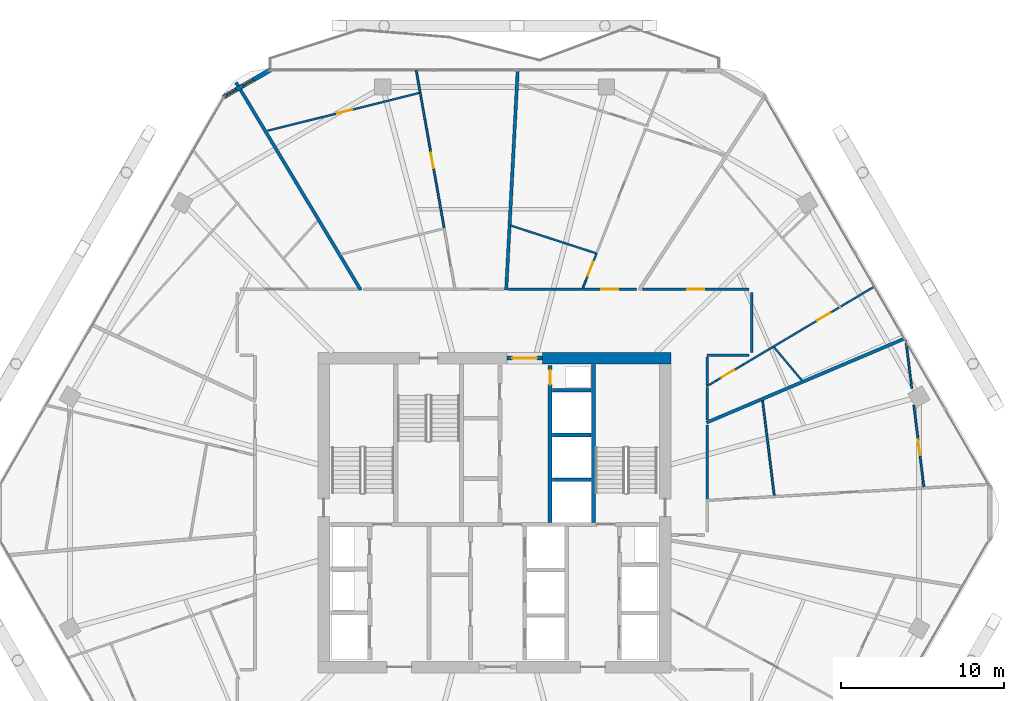
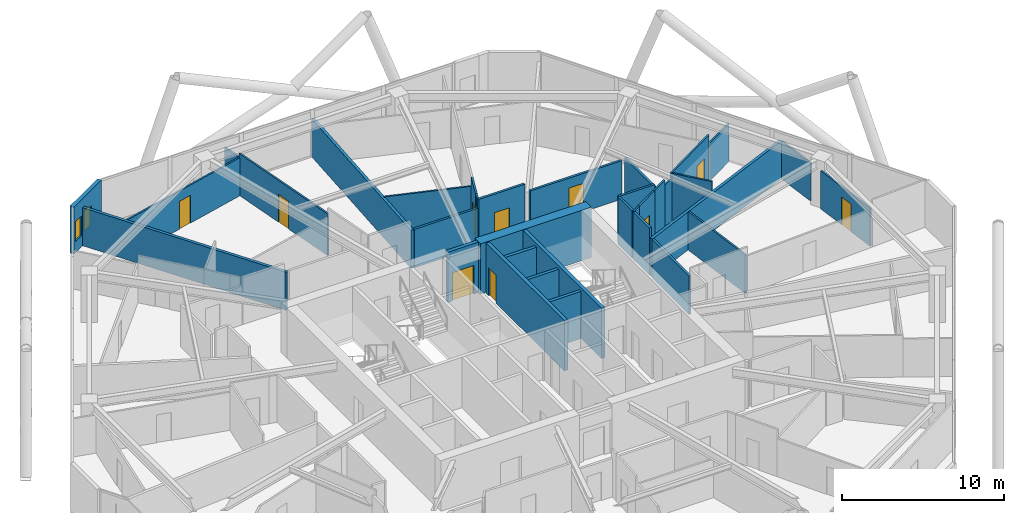
# One storey, part 25 of 29: 35 walls, 10 doors, 2 windows, 12 openings.
"""IFC4 building model written with IfcOpenShell, lengths in metres."""

from ifc_helpers import new_model, si_unit, direction, frame, frame_2d, origin, place, context, subcontext, project, spatial, rectangle, extrude, material, layer, layer_set, type_object, element, fill, save


model = new_model("IFC4")

# Units and contexts
model_context = context("Model", 3, precision=1e-05, world=origin(), true_north=direction((0.0, 1.0)))
body_context = subcontext(model_context, "Body", "Model", "MODEL_VIEW")
ifc_project = project(units=[si_unit("LENGTHUNIT", "METRE"), si_unit("AREAUNIT", "SQUARE_METRE"), si_unit("VOLUMEUNIT", "CUBIC_METRE"), si_unit("PLANEANGLEUNIT", "RADIAN"), si_unit("MASSUNIT", "GRAM", prefix="KILO")], contexts=[model_context])

# Site, building, storey
site_placement = place(None, origin())
site = spatial("IfcSite", under=ifc_project, at=site_placement, CompositionType="ELEMENT")
building_placement = place(site_placement, origin())
building = spatial("IfcBuilding", under=site, at=building_placement, Name="Zuhravey Tower", CompositionType="ELEMENT")
storey_placement = place(building_placement, frame((0.0, 0.0, 161.800048828125)))
storey = spatial("IfcBuildingStorey", under=building, at=storey_placement, Name="L40", CompositionType="ELEMENT", Elevation=161.800048828125)

# Wall
ifc_material_1 = material(Name="Concrete C60/75", Category="concrete")
ifc_layer_1 = layer(ifc_material_1, 0.699951171875)
ifc_layer_set_1 = layer_set([ifc_layer_1], Name="Concrete C60/75")
wall_type_1 = type_object("IfcWallType", Name="Core Shear Wall 700", PredefinedType="SHEAR", material=ifc_layer_set_1)
wall_1_placement = place(storey_placement, frame((46.85009765625, 41.5, 0.0), z_axis=(0.0, 0.0, 1.0), x_axis=(-1.0, 0.0, 0.0)))
element("IfcWall", 1, at=wall_1_placement, inside=storey, type_object=wall_type_1, Name="L40 North-East Core Shear Wall CW70", PredefinedType="SHEAR", context=body_context, shape_type="SweptSolid", body=[
    extrude(rectangle(XDim=7.900146484375, YDim=0.699951171875, at=frame_2d((3.9501953125, 0.0))), origin(), (0.0, 0.0, 1.0), 3.800048828125),
])

# Wall, opening, door
ifc_material_2 = material(Name="Gypsum fire-rated stud partition")
ifc_layer_2 = layer(ifc_material_2, 0.159912109375)
ifc_layer_set_2 = layer_set([ifc_layer_2], Name="Gypsum fire-rated stud partition")
wall_type_2 = type_object("IfcWallType", Name="Corridor Fire Partition 160", PredefinedType="PARTITIONING", material=ifc_layer_set_2)
wall_2_placement = place(storey_placement, frame((51.64990234375, 45.72998046875, 0.0), z_axis=(0.0, 0.0, 1.0), x_axis=(-1.0, 0.0, 0.0)))
wall_2 = element("IfcWall", 2, at=wall_2_placement, inside=storey, type_object=wall_type_2, Name="L40 IW16 Partition 023", PredefinedType="PARTITIONING", context=body_context, shape_type="SweptSolid", body=[
    extrude(rectangle(XDim=6.5380859375, YDim=0.159912109375, at=frame_2d((3.26904296875, 0.0))), origin(), (0.0, 0.0, 1.0), 2.89990234375),
])
opening_1_placement = place(wall_2_placement, frame((2.744140625, 0.0, 0.0)))
opening_1 = element("IfcOpeningElement", 3, at=opening_1_placement, cuts=wall_2, Name="Opening APD1", PredefinedType="OPENING", context=body_context, shape_type="SweptSolid", body=[
    extrude(rectangle(XDim=1.050048828125, YDim=2.14990234375, at=frame_2d((0.52490234375, 1.074951171875))), frame((0.0, 0.092041015625, 0.0), z_axis=(0.0, -1.0, 0.0), x_axis=(1.0, 0.0, 0.0)), (0.0, 0.0, 1.0), 0.183837890625),
])
ifc_material_3 = material(Name="Solid-core oak fire-rated leaf")
door_type_1 = type_object("IfcDoorType", Name="Apartment Entrance Fire Door 1050x2150", OperationType="NOTDEFINED", PredefinedType="DOOR", material=ifc_material_3)
door_1_placement = place(opening_1_placement, frame((1.050048828125, 0.0, 0.0), z_axis=(0.0, 0.0, 1.0), x_axis=(-1.0, 0.0, 0.0)))
door_1 = element("IfcDoor", 4, at=door_1_placement, inside=storey, type_object=door_type_1, Name="L40 Door 023.1", OperationType="SINGLE_SWING_LEFT", OverallHeight=2.14990234375, OverallWidth=1.050048828125, PredefinedType="DOOR", context=body_context, shape_type="SweptSolid", body=[
    extrude(rectangle(XDim=1.050048828125, YDim=2.14990234375, at=frame_2d((0.52490234375, 1.074951171875))), frame((0.0, 0.02490234375, 0.0), z_axis=(0.0, -1.0, 0.0), x_axis=(1.0, 0.0, 0.0)), (0.0, 0.0, 1.0), 0.050048828125),
])
fill(opening_1, door_1)

wall_3_placement = place(storey_placement, frame((44.723388671875, 45.72998046875, 0.0), z_axis=(0.0, 0.0, 1.0), x_axis=(-1.0, 0.0, 0.0)))
wall_3 = element("IfcWall", 5, at=wall_3_placement, inside=storey, type_object=wall_type_2, Name="L40 IW16 Partition 028", PredefinedType="PARTITIONING", context=body_context, shape_type="SweptSolid", body=[
    extrude(rectangle(XDim=3.299072265625, YDim=0.159912109375, at=frame_2d((1.6494140625, 0.0))), origin(), (0.0, 0.0, 1.0), 3.550048828125),
])
opening_2_placement = place(wall_3_placement, frame((1.12451171875, 0.0, 0.0)))
opening_2 = element("IfcOpeningElement", 6, at=opening_2_placement, cuts=wall_3, Name="Opening APD1", PredefinedType="OPENING", context=body_context, shape_type="SweptSolid", body=[
    extrude(rectangle(XDim=1.050048828125, YDim=2.14990234375, at=frame_2d((0.52490234375, 1.074951171875))), frame((0.0, 0.092041015625, 0.0), z_axis=(0.0, -1.0, 0.0), x_axis=(1.0, 0.0, 0.0)), (0.0, 0.0, 1.0), 0.183837890625),
])
door_2_placement = place(opening_2_placement, frame((1.050048828125, 0.0, 0.0), z_axis=(0.0, 0.0, 1.0), x_axis=(-1.0, 0.0, 0.0)))
door_2 = element("IfcDoor", 7, at=door_2_placement, inside=storey, type_object=door_type_1, Name="L40 Door 028.1", OperationType="SINGLE_SWING_RIGHT", OverallHeight=2.14990234375, OverallWidth=1.050048828125, PredefinedType="DOOR", context=body_context, shape_type="SweptSolid", body=[
    extrude(rectangle(XDim=1.050048828125, YDim=2.14990234375, at=frame_2d((0.52490234375, 1.074951171875))), frame((0.0, 0.02490234375, 0.0), z_axis=(0.0, -1.0, 0.0), x_axis=(1.0, 0.0, 0.0)), (0.0, 0.0, 1.0), 0.050048828125),
])
fill(opening_2, door_2)

# Walls
wall_4_placement = place(storey_placement, frame((51.830078125, 41.85009765625, 0.0), z_axis=(0.0, 0.0, 1.0), x_axis=(0.0, 1.0, 0.0)))
element("IfcWall", 8, at=wall_4_placement, inside=storey, type_object=wall_type_2, Name="L40 IW16 Partition 123", PredefinedType="PARTITIONING", context=body_context, shape_type="SweptSolid", body=[
    extrude(rectangle(XDim=3.699951171875, YDim=0.159912109375, at=frame_2d((1.85009765625, 0.0))), origin(), (0.0, 0.0, 1.0), 3.14990234375),
])
wall_5_placement = place(storey_placement, frame((49.080078125, 41.669921875, 0.0), z_axis=(0.0, 0.0, 1.0), x_axis=(1.0, 0.0, 0.0)))
element("IfcWall", 9, at=wall_5_placement, inside=storey, type_object=wall_type_2, Name="L40 IW16 Partition 124", PredefinedType="PARTITIONING", context=body_context, shape_type="SweptSolid", body=[
    extrude(rectangle(XDim=2.56982421875, YDim=0.159912109375, at=frame_2d((1.284912109375, 0.0))), origin(), (0.0, 0.0, 1.0), 3.550048828125),
])
wall_6_placement = place(storey_placement, frame((49.080078125, 39.864013671875, 0.0), z_axis=(0.0, 0.0, 1.0), x_axis=(0.0, 1.0, 0.0)))
element("IfcWall", 10, at=wall_6_placement, inside=storey, type_object=wall_type_2, Name="L40 IW16 Partition 125", PredefinedType="PARTITIONING", context=body_context, shape_type="SweptSolid", body=[
    extrude(rectangle(XDim=1.718017578125, YDim=0.159912109375, at=frame_2d((0.85888671875, 0.0))), origin(), (0.0, 0.0, 1.0), 3.550048828125),
])
wall_7_placement = place(storey_placement, frame((49.080078125, 37.709228515625, 0.0), z_axis=(0.0, 0.0, 1.0), x_axis=(0.0, 1.0, 0.0)))
element("IfcWall", 11, at=wall_7_placement, inside=storey, type_object=wall_type_2, Name="L40 IW16 Partition 126", PredefinedType="PARTITIONING", context=body_context, shape_type="SweptSolid", body=[
    extrude(rectangle(XDim=1.99658203125, YDim=0.159912109375, at=frame_2d((0.998291015625, 0.0))), origin(), (0.0, 0.0, 1.0), 3.550048828125),
])
wall_8_placement = place(storey_placement, frame((41.38134765625, 45.72998046875, 0.0), z_axis=(0.0, 0.0, 1.0), x_axis=(-1.0, 0.0, 0.0)))
element("IfcWall", 12, at=wall_8_placement, inside=storey, type_object=wall_type_2, Name="L40 IW16 Partition 127", PredefinedType="PARTITIONING", context=body_context, shape_type="SweptSolid", body=[
    extrude(rectangle(XDim=4.521484375, YDim=0.159912109375, at=frame_2d((2.2607421875, 0.0))), origin(), (0.0, 0.0, 1.0), 2.89990234375),
])
wall_9_placement = place(storey_placement, frame((49.080078125, 32.817626953125, 0.0), z_axis=(0.0, 0.0, 1.0), x_axis=(0.0, 1.0, 0.0)))
element("IfcWall", 13, at=wall_9_placement, inside=storey, type_object=wall_type_2, Name="L40 IW16 Partition 143", PredefinedType="PARTITIONING", context=body_context, shape_type="SweptSolid", body=[
    extrude(rectangle(XDim=4.57861328125, YDim=0.159912109375, at=frame_2d((2.289306640625, 0.0))), origin(), (0.0, 0.0, 1.0), 2.89990234375),
])

# Wall, openings, windows
ifc_material_4 = material(Name="Precast concrete C40/50", Category="concrete")
ifc_layer_3 = layer(ifc_material_4, 0.280029296875)
ifc_layer_set_3 = layer_set([ifc_layer_3], Name="Precast concrete C40/50")
wall_type_3 = type_object("IfcWallType", Name="Crown Architectural Wall 280", PredefinedType="SOLIDWALL", material=ifc_layer_set_3)
wall_10_placement = place(storey_placement, frame((19.306884765625, 57.548095703125, 0.0), z_axis=(0.0, 0.0, 1.0), x_axis=(0.866020068361, 0.500009241111, 0.0)))
wall_10 = element("IfcWall", 14, at=wall_10_placement, inside=storey, type_object=wall_type_3, Name="L40 Rounded Corner Closure Wall EW28-08", PredefinedType="SOLIDWALL", context=body_context, shape_type="SweptSolid", body=[
    extrude(rectangle(XDim=3.365234375, YDim=0.280029296875, at=frame_2d((1.6826171875, 0.0))), origin(), (0.0, 0.0, 1.0), 3.550048828125),
])
opening_3_placement = place(wall_10_placement, frame((1.405517578125, 0.0, 0.85009765625)))
opening_3 = element("IfcOpeningElement", 15, at=opening_3_placement, cuts=wall_10, Name="Opening WN5", PredefinedType="OPENING", context=body_context, shape_type="SweptSolid", body=[
    extrude(rectangle(XDim=0.75, YDim=1.5, at=frame_2d((0.375, 0.75))), frame((0.0, 0.152099609375, 0.0), z_axis=(0.0, -1.0, 0.0), x_axis=(1.0, 0.0, 0.0)), (0.0, 0.0, 1.0), 0.303955078125),
])
opening_4_placement = place(wall_10_placement, frame((0.17919921875, 0.0, 0.85009765625)))
opening_4 = element("IfcOpeningElement", 16, at=opening_4_placement, cuts=wall_10, Name="Opening WN5", PredefinedType="OPENING", context=body_context, shape_type="SweptSolid", body=[
    extrude(rectangle(XDim=0.75, YDim=1.5, at=frame_2d((0.375, 0.75))), frame((0.0, 0.152099609375, 0.0), z_axis=(0.0, -1.0, 0.0), x_axis=(1.0, 0.0, 0.0)), (0.0, 0.0, 1.0), 0.303955078125),
])
ifc_material_5 = material(Name="Thermally broken aluminium and triple low-E glass", Category="aluminium")
window_type = type_object("IfcWindowType", Name="Residential Corner Casement Window 750x1500", PartitioningType="SINGLE_PANEL", PredefinedType="WINDOW", material=ifc_material_5)
window_1_placement = place(opening_3_placement, origin())
window_1 = element("IfcWindow", 17, at=window_1_placement, inside=storey, type_object=window_type, Name="L40 Corner Casement Window WN5-08.1", OverallHeight=1.5, OverallWidth=0.75, PartitioningType="SINGLE_PANEL", PredefinedType="WINDOW", context=body_context, shape_type="SweptSolid", body=[
    extrude(rectangle(XDim=0.75, YDim=1.5, at=frame_2d((0.375, 0.75))), frame((0.0, 0.030029296875, 0.0), z_axis=(0.0, -1.0, 0.0), x_axis=(1.0, 0.0, 0.0)), (0.0, 0.0, 1.0), 0.06005859375),
])
fill(opening_3, window_1)
window_2_placement = place(opening_4_placement, origin())
window_2 = element("IfcWindow", 18, at=window_2_placement, inside=storey, type_object=window_type, Name="L40 Corner Casement Window WN5-08.2", OverallHeight=1.5, OverallWidth=0.75, PartitioningType="SINGLE_PANEL", PredefinedType="WINDOW", context=body_context, shape_type="SweptSolid", body=[
    extrude(rectangle(XDim=0.75, YDim=1.5, at=frame_2d((0.375, 0.75))), frame((0.0, 0.030029296875, 0.0), z_axis=(0.0, -1.0, 0.0), x_axis=(1.0, 0.0, 0.0)), (0.0, 0.0, 1.0), 0.06005859375),
])
fill(opening_4, window_2)

# Wall, opening, door
ifc_material_6 = material(Name="Concrete C50/60", Category="concrete")
ifc_layer_4 = layer(ifc_material_6, 0.25)
ifc_layer_set_4 = layer_set([ifc_layer_4], Name="Concrete C50/60")
wall_type_4 = type_object("IfcWallType", Name="Firefighting Shaft & Stair Wall 250", PredefinedType="SOLIDWALL", material=ifc_layer_set_4)
wall_11_placement = place(storey_placement, frame((36.760009765625, 41.5, 0.0), z_axis=(0.0, 0.0, 1.0), x_axis=(1.0, 0.0, 0.0)))
wall_11 = element("IfcWall", 19, at=wall_11_placement, inside=storey, type_object=wall_type_4, Name="L40 FW25 Shaft Wall 002", PredefinedType="SOLIDWALL", context=body_context, shape_type="SweptSolid", body=[
    extrude(rectangle(XDim=2.179931640625, YDim=0.25, at=frame_2d((1.08984375, 0.0))), origin(), (0.0, 0.0, 1.0), 3.800048828125),
])
opening_5_placement = place(wall_11_placement, frame((0.340087890625, 0.0, 0.0)))
opening_5 = element("IfcOpeningElement", 20, at=opening_5_placement, cuts=wall_11, Name="Opening FFD1", PredefinedType="OPENING", context=body_context, shape_type="SweptSolid", body=[
    extrude(rectangle(XDim=1.5, YDim=2.14990234375, at=frame_2d((0.75, 1.074951171875))), frame((0.0, 0.136962890625, 0.0), z_axis=(0.0, -1.0, 0.0), x_axis=(1.0, 0.0, 0.0)), (0.0, 0.0, 1.0), 0.27392578125),
])
ifc_material_7 = material(Name="Galvanised fire-rated steel leaf", Category="steel")
door_type_2 = type_object("IfcDoorType", Name="Firefighting Lobby Double Door 1500x2150", OperationType="DOUBLE_DOOR_SINGLE_SWING", PredefinedType="DOOR", material=ifc_material_7)
door_3_placement = place(opening_5_placement, origin())
door_3 = element("IfcDoor", 21, at=door_3_placement, inside=storey, type_object=door_type_2, Name="L40 North Lift Lobby Exit Door", OperationType="DOUBLE_DOOR_SINGLE_SWING", OverallHeight=2.14990234375, OverallWidth=1.5, PredefinedType="DOOR", context=body_context, shape_type="SweptSolid", body=[
    extrude(rectangle(XDim=1.5, YDim=2.14990234375, at=frame_2d((0.75, 1.074951171875))), frame((0.0, 0.02490234375, 0.0), z_axis=(0.0, -1.0, 0.0), x_axis=(1.0, 0.0, 0.0)), (0.0, 0.0, 1.0), 0.050048828125),
])
fill(opening_5, door_3)

# Wall
wall_12_placement = place(storey_placement, frame((42.074951171875, 31.39990234375, 0.0), z_axis=(0.0, 0.0, 1.0), x_axis=(0.0, 1.0, 0.0)))
element("IfcWall", 22, at=wall_12_placement, inside=storey, type_object=wall_type_4, Name="L40 FW25 Shaft Wall 006", PredefinedType="SOLIDWALL", context=body_context, shape_type="SweptSolid", body=[
    extrude(rectangle(XDim=9.7001953125, YDim=0.25, at=frame_2d((4.85009765625, 0.0))), origin(), (0.0, 0.0, 1.0), 3.800048828125),
])

# Wall, opening, door
wall_13_placement = place(storey_placement, frame((39.425048828125, 31.39990234375, 0.0), z_axis=(0.0, 0.0, 1.0), x_axis=(0.0, 1.0, 0.0)))
wall_13 = element("IfcWall", 23, at=wall_13_placement, inside=storey, type_object=wall_type_4, Name="L40 FW25 Shaft Wall 008", PredefinedType="SOLIDWALL", context=body_context, shape_type="SweptSolid", body=[
    extrude(rectangle(XDim=9.650146484375, YDim=0.25, at=frame_2d((4.8251953125, 0.0))), origin(), (0.0, 0.0, 1.0), 3.800048828125),
])
opening_6_placement = place(wall_13_placement, frame((8.469970703125, 0.0, 0.0)))
opening_6 = element("IfcOpeningElement", 24, at=opening_6_placement, cuts=wall_13, Name="Opening RSD1", PredefinedType="OPENING", context=body_context, shape_type="SweptSolid", body=[
    extrude(rectangle(XDim=0.89990234375, YDim=2.10009765625, at=frame_2d((0.449951171875, 1.050048828125))), frame((0.0, 0.136962890625, 0.0), z_axis=(0.0, -1.0, 0.0), x_axis=(1.0, 0.0, 0.0)), (0.0, 0.0, 1.0), 0.27392578125),
])
ifc_material_8 = material(Name="Galvanised fire-rated steel access leaf", Category="steel")
door_type_3 = type_object("IfcDoorType", Name="Riser & Shaft Access Fire Door 900x2100", OperationType="NOTDEFINED", PredefinedType="DOOR", material=ifc_material_8)
door_4_placement = place(opening_6_placement, origin())
door_4 = element("IfcDoor", 25, at=door_4_placement, inside=storey, type_object=door_type_3, Name="L40 North Riser Door", OperationType="SINGLE_SWING_LEFT", OverallHeight=2.10009765625, OverallWidth=0.89990234375, PredefinedType="DOOR", context=body_context, shape_type="SweptSolid", body=[
    extrude(rectangle(XDim=0.89990234375, YDim=2.10009765625, at=frame_2d((0.449951171875, 1.050048828125))), frame((0.0, 0.02490234375, 0.0), z_axis=(0.0, -1.0, 0.0), x_axis=(1.0, 0.0, 0.0)), (0.0, 0.0, 1.0), 0.050048828125),
])
fill(opening_6, door_4)

# Walls
ifc_material_9 = material(Name="Gypsum double-stud party assembly")
ifc_layer_5 = layer(ifc_material_9, 0.199951171875)
ifc_layer_set_5 = layer_set([ifc_layer_5], Name="Gypsum double-stud party assembly")
wall_type_5 = type_object("IfcWallType", Name="Inter-Tenancy Party Wall 200", PredefinedType="PARTITIONING", material=ifc_layer_set_5)
wall_14_placement = place(storey_placement, frame((49.0400390625, 37.53515625, 0.0), z_axis=(0.0, 0.0, 1.0), x_axis=(0.920509138011, 0.390721034548, 0.0)))
element("IfcWall", 26, at=wall_14_placement, inside=storey, type_object=wall_type_5, Name="L40 IW20 Partition 075", PredefinedType="PARTITIONING", context=body_context, shape_type="SweptSolid", body=[
    extrude(rectangle(XDim=13.22119140625, YDim=0.199951171875, at=frame_2d((6.610595703125, 0.0))), origin(), (0.0, 0.0, 1.0), 2.869873046875),
])
wall_15_placement = place(storey_placement, frame((36.717529296875, 45.68994140625, 0.0), z_axis=(0.0, 0.0, 1.0), x_axis=(0.052327430458, 0.998629981536, 0.0)))
element("IfcWall", 27, at=wall_15_placement, inside=storey, type_object=wall_type_5, Name="L40 IW20 Partition 085", PredefinedType="PARTITIONING", context=body_context, shape_type="SweptSolid", body=[
    extrude(rectangle(XDim=13.51171875, YDim=0.199951171875, at=frame_2d((6.755859375, 0.0))), origin(), (0.0, 0.0, 1.0), 2.869873046875),
])
wall_16_placement = place(storey_placement, frame((27.774169921875, 45.68994140625, 0.0), z_axis=(0.0, 0.0, 1.0), x_axis=(-0.515035727322, 0.857168711271, 0.0)))
element("IfcWall", 28, at=wall_16_placement, inside=storey, type_object=wall_type_5, Name="L40 IW20 Partition 089", PredefinedType="PARTITIONING", context=body_context, shape_type="SweptSolid", body=[
    extrude(rectangle(XDim=14.89111328125, YDim=0.199951171875, at=frame_2d((7.445556640625, 0.0))), origin(), (0.0, 0.0, 1.0), 2.869873046875),
])
ifc_material_10 = material(Name="Gypsum acoustic stud assembly")
ifc_layer_6 = layer(ifc_material_10, 0.219970703125)
ifc_layer_set_6 = layer_set([ifc_layer_6], Name="Gypsum acoustic stud assembly")
wall_type_6 = type_object("IfcWallType", Name="School Acoustic Compartment Wall 220", PredefinedType="PARTITIONING", material=ifc_layer_set_6)
for number, where, z_axis, x_axis, name in (
    (29, (39.55810546875, 34.02490234375, 0.0), (0.0, 0.0, 1.0), (1.0, 0.0, 0.0), "L40 IW22 Partition 069"),
    (30, (39.55810546875, 36.77490234375, 0.0), (0.0, 0.0, 1.0), (1.0, 0.0, 0.0), "L40 IW22 Partition 070"),
    (31, (39.55810546875, 39.52490234375, 0.0), (0.0, 0.0, 1.0), (1.0, 0.0, 0.0), "L40 IW22 Partition 071"),
):
    element("IfcWall", number, at=place(storey_placement, frame(where, z_axis=z_axis, x_axis=x_axis)), inside=storey, type_object=wall_type_6, Name=name, PredefinedType="PARTITIONING", context=body_context, shape_type="SweptSolid", body=[
        extrude(rectangle(XDim=2.3837890625, YDim=0.219970703125, at=frame_2d((1.19189453125, 0.0))), origin(), (0.0, 0.0, 1.0), 3.550048828125),
    ])

# Wall, opening, door
ifc_material_11 = material(Name="Gypsum metal-stud partition")
ifc_layer_7 = layer(ifc_material_11, 0.1201171875)
ifc_layer_set_7 = layer_set([ifc_layer_7], Name="Gypsum metal-stud partition")
wall_type_7 = type_object("IfcWallType", Name="Unit Internal Partition 120", PredefinedType="PARTITIONING", material=ifc_layer_set_7)
wall_17_placement = place(storey_placement, frame((49.64990234375, 40.1240234375, 0.0), z_axis=(0.0, 0.0, 1.0), x_axis=(0.85930493282, 0.511463617897, 0.0)))
wall_17 = element("IfcWall", 32, at=wall_17_placement, inside=storey, type_object=wall_type_7, Name="L40 IW12 Partition 020", PredefinedType="PARTITIONING", context=body_context, shape_type="SweptSolid", body=[
    extrude(rectangle(XDim=1.908447265625, YDim=0.1201171875, at=frame_2d((0.9541015625, 0.0))), origin(), (0.0, 0.0, 1.0), 3.550048828125),
])
opening_7_placement = place(wall_17_placement, frame((0.351318359375, 0.0, 0.0)))
opening_7 = element("IfcOpeningElement", 33, at=opening_7_placement, cuts=wall_17, Name="Opening WCD1", PredefinedType="OPENING", context=body_context, shape_type="SweptSolid", body=[
    extrude(rectangle(XDim=0.89990234375, YDim=2.10009765625, at=frame_2d((0.449951171875, 1.050048828125))), frame((0.0, 0.072021484375, 0.0), z_axis=(0.0, -1.0, 0.0), x_axis=(1.0, 0.0, 0.0)), (0.0, 0.0, 1.0), 0.14404296875),
])
ifc_material_12 = material(Name="Moisture-resistant timber leaf", Category="wood")
door_type_4 = type_object("IfcDoorType", Name="Bathroom & WC Internal Door 900x2100", OperationType="NOTDEFINED", PredefinedType="DOOR", material=ifc_material_12)
door_5_placement = place(opening_7_placement, frame((0.89990234375, 0.0, 0.0), z_axis=(0.0, 0.0, 1.0), x_axis=(-1.0, 0.0, 0.0)))
door_5 = element("IfcDoor", 34, at=door_5_placement, inside=storey, type_object=door_type_4, Name="Apartment L40-01 Bathroom Door", OperationType="SINGLE_SWING_LEFT", OverallHeight=2.10009765625, OverallWidth=0.89990234375, PredefinedType="DOOR", context=body_context, shape_type="SweptSolid", body=[
    extrude(rectangle(XDim=0.89990234375, YDim=2.10009765625, at=frame_2d((0.449951171875, 1.050048828125))), frame((0.0, 0.02490234375, 0.0), z_axis=(0.0, -1.0, 0.0), x_axis=(1.0, 0.0, 0.0)), (0.0, 0.0, 1.0), 0.050048828125),
])
fill(opening_7, door_5)

wall_18_placement = place(storey_placement, frame((53.13623046875, 42.198974609375, 0.0), z_axis=(0.0, 0.0, 1.0), x_axis=(0.859312908938, 0.511450217062, 0.0)))
wall_18 = element("IfcWall", 35, at=wall_18_placement, inside=storey, type_object=wall_type_7, Name="L40 IW12 Partition 021", PredefinedType="PARTITIONING", context=body_context, shape_type="SweptSolid", body=[
    extrude(rectangle(XDim=4.720458984375, YDim=0.1201171875, at=frame_2d((2.3603515625, 0.0))), origin(), (0.0, 0.0, 1.0), 3.550048828125),
])
opening_8_placement = place(wall_18_placement, frame((3.1494140625, 0.0, 0.0)))
opening_8 = element("IfcOpeningElement", 36, at=opening_8_placement, cuts=wall_18, Name="Opening IND1", PredefinedType="OPENING", context=body_context, shape_type="SweptSolid", body=[
    extrude(rectangle(XDim=0.949951171875, YDim=2.10009765625, at=frame_2d((0.47509765625, 1.050048828125))), frame((0.0, 0.072021484375, 0.0), z_axis=(0.0, -1.0, 0.0), x_axis=(1.0, 0.0, 0.0)), (0.0, 0.0, 1.0), 0.14404296875),
])
ifc_material_13 = material(Name="Painted engineered timber leaf", Category="wood")
door_type_5 = type_object("IfcDoorType", Name="Internal Room & Bedroom Door 950x2100", OperationType="NOTDEFINED", PredefinedType="DOOR", material=ifc_material_13)
door_6_placement = place(opening_8_placement, frame((0.949951171875, 0.0, 0.0), z_axis=(0.0, 0.0, 1.0), x_axis=(-1.0, 0.0, 0.0)))
door_6 = element("IfcDoor", 37, at=door_6_placement, inside=storey, type_object=door_type_5, Name="Apartment L40-01 Bedroom 1 Door", OperationType="SINGLE_SWING_RIGHT", OverallHeight=2.10009765625, OverallWidth=0.949951171875, PredefinedType="DOOR", context=body_context, shape_type="SweptSolid", body=[
    extrude(rectangle(XDim=0.949951171875, YDim=2.10009765625, at=frame_2d((0.47509765625, 1.050048828125))), frame((0.0, 0.02490234375, 0.0), z_axis=(0.0, -1.0, 0.0), x_axis=(1.0, 0.0, 0.0)), (0.0, 0.0, 1.0), 0.050048828125),
])
fill(opening_8, door_6)

# Wall
wall_19_placement = place(storey_placement, frame((57.31103515625, 44.683837890625, 0.0), z_axis=(0.0, 0.0, 1.0), x_axis=(0.859307846335, 0.511458722896, 0.0)))
element("IfcWall", 38, at=wall_19_placement, inside=storey, type_object=wall_type_7, Name="L40 IW12 Partition 022", PredefinedType="PARTITIONING", context=body_context, shape_type="SweptSolid", body=[
    extrude(rectangle(XDim=2.390625, YDim=0.1201171875, at=frame_2d((1.1953125, 0.0))), origin(), (0.0, 0.0, 1.0), 2.869873046875),
])

# Wall, opening, door
wall_20_placement = place(storey_placement, frame((41.627197265625, 46.300048828125, 0.0), z_axis=(0.0, 0.0, 1.0), x_axis=(0.366112681727, 0.930570526225, 0.0)))
wall_20 = element("IfcWall", 39, at=wall_20_placement, inside=storey, type_object=wall_type_7, Name="L40 IW12 Partition 025", PredefinedType="PARTITIONING", context=body_context, shape_type="SweptSolid", body=[
    extrude(rectangle(XDim=1.78857421875, YDim=0.1201171875, at=frame_2d((0.894287109375, 0.0))), origin(), (0.0, 0.0, 1.0), 3.550048828125),
])
opening_9_placement = place(wall_20_placement, frame((0.30126953125, 0.0, 0.0)))
opening_9 = element("IfcOpeningElement", 40, at=opening_9_placement, cuts=wall_20, Name="Opening WCD1", PredefinedType="OPENING", context=body_context, shape_type="SweptSolid", body=[
    extrude(rectangle(XDim=0.89990234375, YDim=2.10009765625, at=frame_2d((0.449951171875, 1.050048828125))), frame((0.0, 0.072021484375, 0.0), z_axis=(0.0, -1.0, 0.0), x_axis=(1.0, 0.0, 0.0)), (0.0, 0.0, 1.0), 0.14404296875),
])
door_7_placement = place(opening_9_placement, origin())
door_7 = element("IfcDoor", 41, at=door_7_placement, inside=storey, type_object=door_type_4, Name="Apartment L40-02 Bathroom Door", OperationType="SINGLE_SWING_LEFT", OverallHeight=2.10009765625, OverallWidth=0.89990234375, PredefinedType="DOOR", context=body_context, shape_type="SweptSolid", body=[
    extrude(rectangle(XDim=0.89990234375, YDim=2.10009765625, at=frame_2d((0.449951171875, 1.050048828125))), frame((0.0, 0.02490234375, 0.0), z_axis=(0.0, -1.0, 0.0), x_axis=(1.0, 0.0, 0.0)), (0.0, 0.0, 1.0), 0.050048828125),
])
fill(opening_9, door_7)

wall_21_placement = place(storey_placement, frame((32.901611328125, 49.50146484375, 0.0), z_axis=(0.0, 0.0, 1.0), x_axis=(-0.174358516614, 0.984682236909, 0.0)))
wall_21 = element("IfcWall", 42, at=wall_21_placement, inside=storey, type_object=wall_type_7, Name="L40 IW12 Partition 030", PredefinedType="PARTITIONING", context=body_context, shape_type="SweptSolid", body=[
    extrude(rectangle(XDim=8.479736328125, YDim=0.1201171875, at=frame_2d((4.23974609375, 0.0))), origin(), (0.0, 0.0, 1.0), 3.14990234375),
])
opening_10_placement = place(wall_21_placement, frame((3.73974609375, 0.0, 0.0)))
opening_10 = element("IfcOpeningElement", 43, at=opening_10_placement, cuts=wall_21, Name="Opening IND1", PredefinedType="OPENING", context=body_context, shape_type="SweptSolid", body=[
    extrude(rectangle(XDim=0.949951171875, YDim=2.10009765625, at=frame_2d((0.47509765625, 1.050048828125))), frame((0.0, 0.072021484375, 0.0), z_axis=(0.0, -1.0, 0.0), x_axis=(1.0, 0.0, 0.0)), (0.0, 0.0, 1.0), 0.14404296875),
])
door_8_placement = place(opening_10_placement, origin())
door_8 = element("IfcDoor", 44, at=door_8_placement, inside=storey, type_object=door_type_5, Name="Apartment L40-03 Home Office Door", OperationType="SINGLE_SWING_RIGHT", OverallHeight=2.10009765625, OverallWidth=0.949951171875, PredefinedType="DOOR", context=body_context, shape_type="SweptSolid", body=[
    extrude(rectangle(XDim=0.949951171875, YDim=2.10009765625, at=frame_2d((0.47509765625, 1.050048828125))), frame((0.0, 0.02490234375, 0.0), z_axis=(0.0, -1.0, 0.0), x_axis=(1.0, 0.0, 0.0)), (0.0, 0.0, 1.0), 0.050048828125),
])
fill(opening_10, door_8)

wall_22_placement = place(storey_placement, frame((31.361328125, 57.81005859375, 0.0), z_axis=(0.0, 0.0, 1.0), x_axis=(-0.97029492616, -0.241925104669, 0.0)))
wall_22 = element("IfcWall", 45, at=wall_22_placement, inside=storey, type_object=wall_type_7, Name="L40 IW12 Partition 031", PredefinedType="PARTITIONING", context=body_context, shape_type="SweptSolid", body=[
    extrude(rectangle(XDim=9.59814453125, YDim=0.1201171875, at=frame_2d((4.799072265625, 0.0))), origin(), (0.0, 0.0, 1.0), 2.869873046875),
])
opening_11_placement = place(wall_22_placement, frame((4.23974609375, 0.0, 0.0)))
opening_11 = element("IfcOpeningElement", 46, at=opening_11_placement, cuts=wall_22, Name="Opening IND1", PredefinedType="OPENING", context=body_context, shape_type="SweptSolid", body=[
    extrude(rectangle(XDim=0.949951171875, YDim=2.10009765625, at=frame_2d((0.47509765625, 1.050048828125))), frame((0.0, 0.072021484375, 0.0), z_axis=(0.0, -1.0, 0.0), x_axis=(1.0, 0.0, 0.0)), (0.0, 0.0, 1.0), 0.14404296875),
])
door_9_placement = place(opening_11_placement, frame((0.949951171875, 0.0, 0.0), z_axis=(0.0, 0.0, 1.0), x_axis=(-1.0, 0.0, 0.0)))
door_9 = element("IfcDoor", 47, at=door_9_placement, inside=storey, type_object=door_type_5, Name="Apartment L40-03 Bedroom 1 Door", OperationType="SINGLE_SWING_LEFT", OverallHeight=2.10009765625, OverallWidth=0.949951171875, PredefinedType="DOOR", context=body_context, shape_type="SweptSolid", body=[
    extrude(rectangle(XDim=0.949951171875, YDim=2.10009765625, at=frame_2d((0.47509765625, 1.050048828125))), frame((0.0, 0.02490234375, 0.0), z_axis=(0.0, -1.0, 0.0), x_axis=(1.0, 0.0, 0.0)), (0.0, 0.0, 1.0), 0.050048828125),
])
fill(opening_11, door_9)

wall_23_placement = place(storey_placement, frame((62.40771484375, 33.58154296875, 0.0), z_axis=(0.0, 0.0, 1.0), x_axis=(-0.121862130173, 0.992547037288, 0.0)))
wall_23 = element("IfcWall", 48, at=wall_23_placement, inside=storey, type_object=wall_type_7, Name="L40 IW12 Partition 065", PredefinedType="PARTITIONING", context=body_context, shape_type="SweptSolid", body=[
    extrude(rectangle(XDim=5.062744140625, YDim=0.1201171875, at=frame_2d((2.53125, 0.0))), origin(), (0.0, 0.0, 1.0), 2.869873046875),
])
opening_12_placement = place(wall_23_placement, frame((1.97216796875, 0.0, 0.0)))
opening_12 = element("IfcOpeningElement", 49, at=opening_12_placement, cuts=wall_23, Name="Opening IND1", PredefinedType="OPENING", context=body_context, shape_type="SweptSolid", body=[
    extrude(rectangle(XDim=0.949951171875, YDim=2.10009765625, at=frame_2d((0.47509765625, 1.050048828125))), frame((0.0, 0.072021484375, 0.0), z_axis=(0.0, -1.0, 0.0), x_axis=(1.0, 0.0, 0.0)), (0.0, 0.0, 1.0), 0.14404296875),
])
door_10_placement = place(opening_12_placement, frame((0.949951171875, 0.0, 0.0), z_axis=(0.0, 0.0, 1.0), x_axis=(-1.0, 0.0, 0.0)))
door_10 = element("IfcDoor", 50, at=door_10_placement, inside=storey, type_object=door_type_5, Name="Apartment L40-11 Bedroom 1 Door", OperationType="SINGLE_SWING_RIGHT", OverallHeight=2.10009765625, OverallWidth=0.949951171875, PredefinedType="DOOR", context=body_context, shape_type="SweptSolid", body=[
    extrude(rectangle(XDim=0.949951171875, YDim=2.10009765625, at=frame_2d((0.47509765625, 1.050048828125))), frame((0.0, 0.02490234375, 0.0), z_axis=(0.0, -1.0, 0.0), x_axis=(1.0, 0.0, 0.0)), (0.0, 0.0, 1.0), 0.050048828125),
])
fill(opening_12, door_10)

# Walls
wall_24_placement = place(storey_placement, frame((52.3935546875, 41.757080078125, 0.0), z_axis=(0.0, 0.0, 1.0), x_axis=(0.859381560936, 0.511334853812, 0.0)))
element("IfcWall", 51, at=wall_24_placement, inside=storey, type_object=wall_type_7, Name="L40 IW12 Partition 077", PredefinedType="PARTITIONING", context=body_context, shape_type="SweptSolid", body=[
    extrude(rectangle(XDim=0.8642578125, YDim=0.1201171875, at=frame_2d((0.43212890625, 0.0))), origin(), (0.0, 0.0, 1.0), 3.14990234375),
])
wall_25_placement = place(storey_placement, frame((49.034912109375, 39.758056640625, 0.0), z_axis=(0.0, 0.0, 1.0), x_axis=(0.859353568271, 0.511381897117, 0.0)))
element("IfcWall", 52, at=wall_25_placement, inside=storey, type_object=wall_type_7, Name="L40 IW12 Partition 078", PredefinedType="PARTITIONING", context=body_context, shape_type="SweptSolid", body=[
    extrude(rectangle(XDim=0.715576171875, YDim=0.1201171875, at=frame_2d((0.35791015625, 0.0))), origin(), (0.0, 0.0, 1.0), 3.550048828125),
])
wall_26_placement = place(storey_placement, frame((51.289794921875, 41.10009765625, 0.0), z_axis=(0.0, 0.0, 1.0), x_axis=(0.859298851335, 0.511473835201, 0.0)))
element("IfcWall", 53, at=wall_26_placement, inside=storey, type_object=wall_type_7, Name="L40 IW12 Partition 079", PredefinedType="PARTITIONING", context=body_context, shape_type="SweptSolid", body=[
    extrude(rectangle(XDim=1.284423828125, YDim=0.1201171875, at=frame_2d((0.64208984375, 0.0))), origin(), (0.0, 0.0, 1.0), 3.550048828125),
])
wall_27_placement = place(storey_placement, frame((54.897216796875, 40.138671875, 0.0), z_axis=(0.0, 0.0, 1.0), x_axis=(-0.642812084611, 0.766023905553, 0.0)))
element("IfcWall", 54, at=wall_27_placement, inside=storey, type_object=wall_type_7, Name="L40 IW12 Partition 080", PredefinedType="PARTITIONING", context=body_context, shape_type="SweptSolid", body=[
    extrude(rectangle(XDim=2.637451171875, YDim=0.1201171875, at=frame_2d((1.31884765625, 0.0))), origin(), (0.0, 0.0, 1.0), 3.550048828125),
])
wall_28_placement = place(storey_placement, frame((41.4375, 45.818115234375, 0.0), z_axis=(0.0, 0.0, 1.0), x_axis=(0.366264831108, 0.930510652004, 0.0)))
element("IfcWall", 55, at=wall_28_placement, inside=storey, type_object=wall_type_7, Name="L40 IW12 Partition 082", PredefinedType="PARTITIONING", context=body_context, shape_type="SweptSolid", body=[
    extrude(rectangle(XDim=0.517822265625, YDim=0.1201171875, at=frame_2d((0.2587890625, 0.0))), origin(), (0.0, 0.0, 1.0), 3.550048828125),
])
wall_29_placement = place(storey_placement, frame((42.208251953125, 47.962158203125, 0.0), z_axis=(0.0, 0.0, 1.0), x_axis=(-0.951058543187, 0.309010756175, 0.0)))
element("IfcWall", 56, at=wall_29_placement, inside=storey, type_object=wall_type_7, Name="L40 IW12 Partition 084", PredefinedType="PARTITIONING", context=body_context, shape_type="SweptSolid", body=[
    extrude(rectangle(XDim=5.497314453125, YDim=0.1201171875, at=frame_2d((2.74853515625, 0.0))), origin(), (0.0, 0.0, 1.0), 2.89990234375),
])
wall_30_placement = place(storey_placement, frame((31.423095703125, 57.851318359375, 0.0), z_axis=(0.0, 0.0, 1.0), x_axis=(-0.174452178644, 0.9846656475, 0.0)))
element("IfcWall", 57, at=wall_30_placement, inside=storey, type_object=wall_type_7, Name="L40 IW12 Partition 087", PredefinedType="PARTITIONING", context=body_context, shape_type="SweptSolid", body=[
    extrude(rectangle(XDim=1.357421875, YDim=0.1201171875, at=frame_2d((0.6787109375, 0.0))), origin(), (0.0, 0.0, 1.0), 2.869873046875),
])
wall_31_placement = place(storey_placement, frame((53.203857421875, 33.053955078125, 0.0), z_axis=(0.0, 0.0, 1.0), x_axis=(-0.121874772377, 0.992545485032, 0.0)))
element("IfcWall", 58, at=wall_31_placement, inside=storey, type_object=wall_type_7, Name="L40 IW12 Partition 121", PredefinedType="PARTITIONING", context=body_context, shape_type="SweptSolid", body=[
    extrude(rectangle(XDim=5.871337890625, YDim=0.1201171875, at=frame_2d((2.935546875, 0.0))), origin(), (0.0, 0.0, 1.0), 2.89990234375),
])
wall_32_placement = place(storey_placement, frame((61.6630859375, 39.646484375, 0.0), z_axis=(0.0, 0.0, 1.0), x_axis=(-0.121841400671, 0.992549582178, 0.0)))
element("IfcWall", 59, at=wall_32_placement, inside=storey, type_object=wall_type_7, Name="L40 IW12 Partition 122", PredefinedType="PARTITIONING", context=body_context, shape_type="SweptSolid", body=[
    extrude(rectangle(XDim=2.95947265625, YDim=0.1201171875, at=frame_2d((1.479736328125, 0.0))), origin(), (0.0, 0.0, 1.0), 2.869873046875),
])

save(model, "model.ifc")
